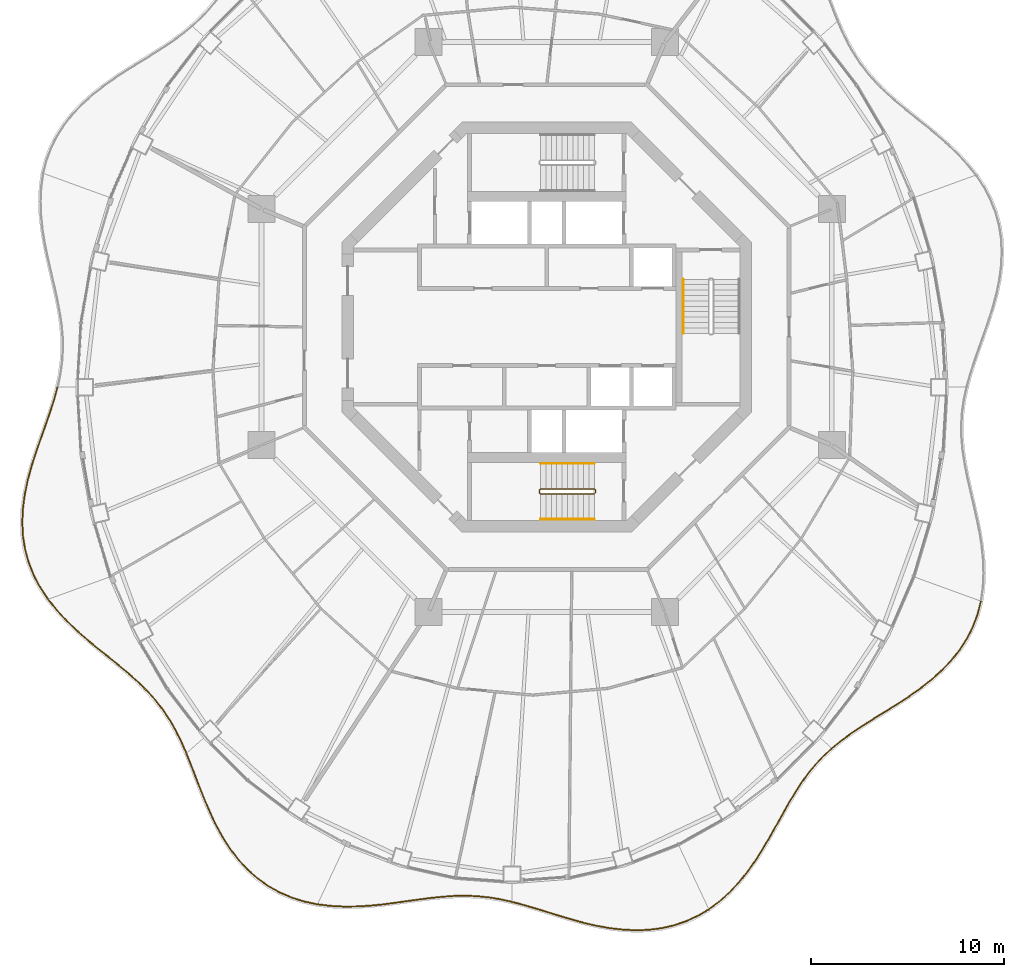
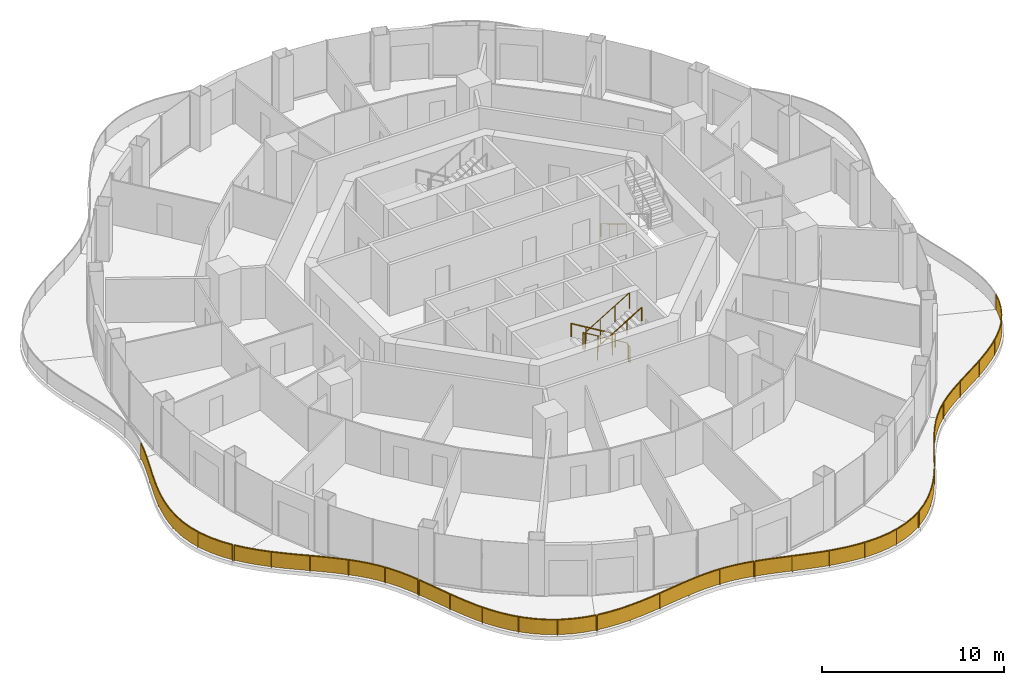
# One storey, part 15 of 17: 11 railings.
"""IFC4 building model written with IfcOpenShell, lengths in metres."""

from ifc_helpers import new_model, si_unit, direction, frame, origin, origin_2d, place, context, subcontext, project, spatial, polyline, rectangle, circle, outline, extrude, material, type_object, element, save


model = new_model("IFC4")

# Units and contexts
model_context = context("Model", 3, precision=1e-05, world=origin(), true_north=direction((0.0, 1.0)))
body_context = subcontext(model_context, "Body", "Model", "MODEL_VIEW")
ifc_project = project(units=[si_unit("LENGTHUNIT", "METRE"), si_unit("AREAUNIT", "SQUARE_METRE"), si_unit("VOLUMEUNIT", "CUBIC_METRE"), si_unit("PLANEANGLEUNIT", "RADIAN"), si_unit("MASSUNIT", "GRAM", prefix="KILO")], contexts=[model_context])

# Site, building, storey
site_placement = place(None, origin())
site = spatial("IfcSite", under=ifc_project, at=site_placement, CompositionType="ELEMENT")
building_placement = place(site_placement, origin())
building = spatial("IfcBuilding", under=site, at=building_placement, Name="Nagisa Residences", CompositionType="ELEMENT")
storey_placement = place(building_placement, frame((0.0, 0.0, 262.199951171875)))
storey = spatial("IfcBuildingStorey", under=building, at=storey_placement, Name="L66", CompositionType="ELEMENT", Elevation=262.199951171875)

# Railings
ifc_material_1 = material(Name="Stainless steel 316", Category="steel")
railing_type_1 = type_object("IfcRailingType", Name="BALCONY GUARD 1100", PredefinedType="BALUSTRADE", material=ifc_material_1)
railing_1_placement = place(storey_placement, frame((-25.375, -3.15185546875, 0.0)))
element("IfcRailing", 1, at=railing_1_placement, inside=storey, type_object=railing_type_1, Name="guard:L66:bal08-0", PredefinedType="BALUSTRADE", context=body_context, shape_type="SweptSolid", body=[
    extrude(outline(polyline([(-0.145263671875, -0.620849609375), (0.024169921875, -0.006591796875), (-0.024169921875, 0.006591796875), (-0.193115234375, -0.606689453125), (-0.40576171875, -1.270751953125), (-0.640869140625, -1.94677734375), (-0.886474609375, -2.63623046875), (-1.12939453125, -3.3388671875), (-1.357421875, -4.040283203125), (-1.55419921875, -4.764892578125), (-1.707763671875, -5.49609375), (-1.806884765625, -6.2294921875), (-1.84228515625, -6.9599609375), (-1.809326171875, -7.6689453125), (-1.697265625, -8.377685546875), (-1.50732421875, -9.068115234375), (-1.24072265625, -9.73486328125), (-0.901123046875, -10.375244140625), (-0.519775390625, -10.946044921875), (-0.478271484375, -10.918212890625), (-0.858154296875, -10.349365234375), (-1.1953125, -9.7138671875), (-1.4599609375, -9.052001953125), (-1.6484375, -8.366943359375), (-1.759521484375, -7.6640625), (-1.7919921875, -6.9599609375), (-1.757080078125, -6.23388671875), (-1.658447265625, -5.50439453125), (-1.50537109375, -4.776611328125), (-1.3095703125, -4.054443359375), (-1.08203125, -3.35498046875), (-0.839111328125, -2.65283203125), (-0.593505859375, -1.96337890625), (-0.3583984375, -1.286376953125), (-0.145263671875, -0.620849609375)])), frame((0.0, 0.0, 1.050048828125)), (0.0, 0.0, 1.0), 0.050048828125),
    extrude(outline(polyline([(-0.16259765625, -0.61572265625), (0.0068359375, -0.001953125), (-0.0068359375, 0.001953125), (-0.17578125, -0.61181640625), (-0.388671875, -1.2763671875), (-0.623779296875, -1.95263671875), (-0.869384765625, -2.642333984375), (-1.1123046875, -3.3447265625), (-1.340087890625, -4.04541015625), (-1.53662109375, -4.76904296875), (-1.68994140625, -5.4990234375), (-1.7890625, -6.23095703125), (-1.82421875, -6.9599609375), (-1.79150390625, -7.667236328125), (-1.6796875, -8.373779296875), (-1.490234375, -9.062255859375), (-1.224365234375, -9.727294921875), (-0.8857421875, -10.365966796875), (-0.5048828125, -10.93603515625), (-0.4931640625, -10.92822265625), (-0.87353515625, -10.358642578125), (-1.211669921875, -9.721435546875), (-1.47705078125, -9.057861328125), (-1.666015625, -8.370849609375), (-1.77734375, -7.665771484375), (-1.81005859375, -6.9599609375), (-1.77490234375, -6.232421875), (-1.67626953125, -5.50146484375), (-1.52294921875, -4.7724609375), (-1.326904296875, -4.04931640625), (-1.09912109375, -3.34912109375), (-0.856201171875, -2.646728515625), (-0.610595703125, -1.95751953125), (-0.37548828125, -1.28076171875), (-0.16259765625, -0.61572265625)])), frame((0.0, 0.0, 0.06005859375)), (0.0, 0.0, 1.0), 0.989990234375),
    extrude(rectangle(XDim=0.0400390625, YDim=0.0400390625, at=origin_2d()), origin(), (0.0, 0.0, 1.0), 1.050048828125),
    extrude(rectangle(XDim=0.0400390625, YDim=0.0400390625, at=origin_2d()), frame((-0.69970703125, -2.1865234375, 0.0)), (0.0, 0.0, 1.0), 1.050048828125),
    extrude(rectangle(XDim=0.0400390625, YDim=0.0400390625, at=origin_2d()), frame((-1.420166015625, -4.366455078125, 0.0)), (0.0, 0.0, 1.0), 1.050048828125),
    extrude(rectangle(XDim=0.0400390625, YDim=0.0400390625, at=origin_2d()), frame((-1.801025390625, -6.625244140625, 0.0)), (0.0, 0.0, 1.0), 1.050048828125),
    extrude(rectangle(XDim=0.0400390625, YDim=0.0400390625, at=origin_2d()), frame((-1.52978515625, -8.892578125, 0.0)), (0.0, 0.0, 1.0), 1.050048828125),
    extrude(rectangle(XDim=0.0400390625, YDim=0.0400390625, at=origin_2d()), frame((-0.4990234375, -10.93212890625, 0.0)), (0.0, 0.0, 1.0), 1.050048828125),
])
railing_2_placement = place(storey_placement, frame((-25.82763671875, -14.14599609375, 0.0)))
element("IfcRailing", 2, at=railing_2_placement, inside=storey, type_object=railing_type_1, Name="guard:L66:bal09-0", PredefinedType="BALUSTRADE", context=body_context, shape_type="SweptSolid", body=[
    extrude(outline(polyline([(0.438720703125, -0.508056640625), (0.01953125, 0.015625), (-0.01953125, -0.015625), (0.400634765625, -0.540771484375), (0.893310546875, -1.074951171875), (1.4189453125, -1.582275390625), (1.966552734375, -2.066162109375), (2.5244140625, -2.530517578125), (3.074462890625, -2.96728515625), (3.619140625, -3.40869140625), (4.14306640625, -3.848388671875), (4.638671875, -4.29296875), (5.10009765625, -4.748779296875), (5.51611328125, -5.20947265625), (5.902587890625, -5.705078125), (6.252197265625, -6.22705078125), (6.56884765625, -6.7783203125), (6.857421875, -7.359375), (7.107177734375, -7.929931640625), (7.153076171875, -7.909912109375), (6.90283203125, -7.33837890625), (6.61279296875, -6.7548828125), (6.294677734375, -6.20068359375), (5.943115234375, -5.67578125), (5.5546875, -5.17724609375), (5.13623046875, -4.714111328125), (4.6728515625, -4.25634765625), (4.17578125, -3.810791015625), (3.65087890625, -3.3701171875), (3.105712890625, -2.92822265625), (2.55615234375, -2.491455078125), (1.999267578125, -2.028076171875), (1.453125, -1.545654296875), (0.928955078125, -1.039794921875), (0.438720703125, -0.508056640625)])), frame((0.0, 0.0, 1.050048828125)), (0.0, 0.0, 1.0), 0.050048828125),
    extrude(outline(polyline([(0.425048828125, -0.519775390625), (0.00537109375, 0.00439453125), (-0.00537109375, -0.00439453125), (0.414306640625, -0.529052734375), (0.906005859375, -1.062255859375), (1.431396484375, -1.569091796875), (1.978271484375, -2.052490234375), (2.535888671875, -2.516357421875), (3.085693359375, -2.953125), (3.630615234375, -3.394775390625), (4.15478515625, -3.8349609375), (4.65087890625, -4.27978515625), (5.113037109375, -4.736328125), (5.530029296875, -5.19775390625), (5.917236328125, -5.694580078125), (6.267578125, -6.217529296875), (6.584716796875, -6.77001953125), (6.873779296875, -7.351806640625), (7.123779296875, -7.922607421875), (7.136474609375, -7.917236328125), (6.886474609375, -7.345947265625), (6.596923828125, -6.76318359375), (6.279296875, -6.210205078125), (5.928466796875, -5.686279296875), (5.540771484375, -5.18896484375), (5.123291015625, -4.7265625), (4.66064453125, -4.26953125), (4.1640625, -3.82421875), (3.639404296875, -3.384033203125), (3.094482421875, -2.9423828125), (2.544677734375, -2.505615234375), (1.987548828125, -2.041748046875), (1.440673828125, -1.558837890625), (0.916259765625, -1.052490234375), (0.425048828125, -0.519775390625)])), frame((0.0, 0.0, 0.06005859375)), (0.0, 0.0, 1.0), 0.989990234375),
    extrude(rectangle(XDim=0.0400390625, YDim=0.0400390625, at=origin_2d()), origin(), (0.0, 0.0, 1.0), 1.050048828125),
    extrude(rectangle(XDim=0.0400390625, YDim=0.0400390625, at=origin_2d()), frame((1.458251953125, -1.583740234375, 0.0)), (0.0, 0.0, 1.0), 1.050048828125),
    extrude(rectangle(XDim=0.0400390625, YDim=0.0400390625, at=origin_2d()), frame((3.1123046875, -2.9658203125, 0.0)), (0.0, 0.0, 1.0), 1.050048828125),
    extrude(rectangle(XDim=0.0400390625, YDim=0.0400390625, at=origin_2d()), frame((4.74951171875, -4.3671875, 0.0)), (0.0, 0.0, 1.0), 1.050048828125),
    extrude(rectangle(XDim=0.0400390625, YDim=0.0400390625, at=origin_2d()), frame((6.13720703125, -6.01025390625, 0.0)), (0.0, 0.0, 1.0), 1.050048828125),
    extrude(rectangle(XDim=0.0400390625, YDim=0.0400390625, at=origin_2d()), frame((7.130126953125, -7.919921875, 0.0)), (0.0, 0.0, 1.0), 1.050048828125),
])
railing_3_placement = place(storey_placement, frame((-18.671142578125, -22.134521484375, 0.0)))
element("IfcRailing", 3, at=railing_3_placement, inside=storey, type_object=railing_type_1, Name="guard:L66:bal10-0", PredefinedType="BALUSTRADE", context=body_context, shape_type="SweptSolid", body=[
    extrude(outline(polyline([(0.24951171875, -0.556884765625), (0.023193359375, 0.00927734375), (-0.023193359375, -0.00927734375), (0.203125, -0.574951171875), (0.44384765625, -1.2001953125), (0.690185546875, -1.839111328125), (0.949462890625, -2.485107421875), (1.230712890625, -3.1298828125), (1.528076171875, -3.754638671875), (1.872314453125, -4.371337890625), (2.255859375, -4.9599609375), (2.682373046875, -5.51220703125), (3.153076171875, -6.01953125), (3.656982421875, -6.46728515625), (4.21240234375, -6.863525390625), (4.809814453125, -7.199462890625), (5.44189453125, -7.47119140625), (6.10400390625, -7.67919921875), (6.742431640625, -7.81298828125), (6.752685546875, -7.76416015625), (6.11669921875, -7.630859375), (5.45947265625, -7.42431640625), (4.831787109375, -7.154541015625), (4.2392578125, -6.821044921875), (3.688232421875, -6.42822265625), (3.188232421875, -5.98388671875), (2.720458984375, -5.47998046875), (2.296875, -4.93115234375), (1.915283203125, -4.345458984375), (1.572509765625, -3.731689453125), (1.276123046875, -3.10888671875), (0.995849609375, -2.465576171875), (0.736572265625, -1.820556640625), (0.49072265625, -1.18212890625), (0.24951171875, -0.556884765625)])), frame((0.0, 0.0, 1.050048828125)), (0.0, 0.0, 1.0), 0.050048828125),
    extrude(outline(polyline([(0.23291015625, -0.5634765625), (0.006591796875, 0.002685546875), (-0.006591796875, -0.002685546875), (0.2197265625, -0.568359375), (0.460693359375, -1.193603515625), (0.706787109375, -1.832275390625), (0.96630859375, -2.47802734375), (1.2470703125, -3.122314453125), (1.544189453125, -3.746337890625), (1.8876953125, -4.362060546875), (2.270751953125, -4.94970703125), (2.696044921875, -5.500732421875), (3.165771484375, -6.0068359375), (3.668212890625, -6.453125), (4.22216796875, -6.84814453125), (4.817626953125, -7.183349609375), (5.4482421875, -7.454345703125), (6.108642578125, -7.661865234375), (6.74609375, -7.79541015625), (6.7490234375, -7.78173828125), (6.112060546875, -7.648193359375), (5.453125, -7.441162109375), (4.823974609375, -7.170654296875), (4.2294921875, -6.83642578125), (3.677001953125, -6.4423828125), (3.175537109375, -5.99658203125), (2.706787109375, -5.491455078125), (2.281982421875, -4.94140625), (1.89990234375, -4.354736328125), (1.556396484375, -3.739990234375), (1.259765625, -3.116455078125), (0.97900390625, -2.47265625), (0.719970703125, -1.827392578125), (0.473876953125, -1.188720703125), (0.23291015625, -0.5634765625)])), frame((0.0, 0.0, 0.06005859375)), (0.0, 0.0, 1.0), 0.989990234375),
    extrude(rectangle(XDim=0.0400390625, YDim=0.0400390625, at=origin_2d()), origin(), (0.0, 0.0, 1.0), 1.050048828125),
    extrude(rectangle(XDim=0.0400390625, YDim=0.0400390625, at=origin_2d()), frame((0.794189453125, -2.03125, 0.0)), (0.0, 0.0, 1.0), 1.050048828125),
    extrude(rectangle(XDim=0.0400390625, YDim=0.0400390625, at=origin_2d()), frame((1.700927734375, -4.01318359375, 0.0)), (0.0, 0.0, 1.0), 1.050048828125),
    extrude(rectangle(XDim=0.0400390625, YDim=0.0400390625, at=origin_2d()), frame((2.96630859375, -5.781494140625, 0.0)), (0.0, 0.0, 1.0), 1.050048828125),
    extrude(rectangle(XDim=0.0400390625, YDim=0.0400390625, at=origin_2d()), frame((4.6875, -7.10205078125, 0.0)), (0.0, 0.0, 1.0), 1.050048828125),
    extrude(rectangle(XDim=0.0400390625, YDim=0.0400390625, at=origin_2d()), frame((6.74755859375, -7.78857421875, 0.0)), (0.0, 0.0, 1.0), 1.050048828125),
])
railing_4_placement = place(storey_placement, frame((-11.84716796875, -29.935302734375, 0.0)))
element("IfcRailing", 4, at=railing_4_placement, inside=storey, type_object=railing_type_1, Name="guard:L66:bal11-0", PredefinedType="BALUSTRADE", context=body_context, shape_type="SweptSolid", body=[
    extrude(outline(polyline([(0.6298828125, -0.052001953125), (0.0029296875, 0.02490234375), (-0.0029296875, -0.02490234375), (0.62548828125, -0.101806640625), (1.310546875, -0.13818359375), (1.9990234375, -0.131591796875), (2.685302734375, -0.0908203125), (3.365478515625, -0.024169921875), (4.01806640625, 0.064208984375), (4.67431640625, 0.155029296875), (5.31591796875, 0.24365234375), (5.9423828125, 0.32177734375), (6.55419921875, 0.381591796875), (7.135986328125, 0.419189453125), (7.724853515625, 0.423828125), (8.306884765625, 0.39599609375), (8.8857421875, 0.333251953125), (9.4658203125, 0.236572265625), (10.007080078125, 0.117431640625), (10.017822265625, 0.166259765625), (9.47509765625, 0.285888671875), (8.892578125, 0.383056640625), (8.310791015625, 0.44580078125), (7.725830078125, 0.47412109375), (7.134033203125, 0.468994140625), (6.55029296875, 0.431396484375), (5.93701171875, 0.37158203125), (5.3095703125, 0.29345703125), (4.66748046875, 0.204833984375), (4.01123046875, 0.114013671875), (3.359619140625, 0.025634765625), (2.681396484375, -0.041015625), (1.9970703125, -0.081787109375), (1.3115234375, -0.087890625), (0.6298828125, -0.052001953125)])), frame((0.0, 0.0, 1.050048828125)), (0.0, 0.0, 1.0), 0.050048828125),
    extrude(outline(polyline([(0.62841796875, -0.06982421875), (0.000732421875, 0.0068359375), (-0.000732421875, -0.0068359375), (0.626953125, -0.083984375), (1.310791015625, -0.1201171875), (1.998291015625, -0.11376953125), (2.683837890625, -0.072998046875), (3.36328125, -0.006103515625), (4.015625, 0.082275390625), (4.671875, 0.173095703125), (5.313720703125, 0.26171875), (5.9404296875, 0.33984375), (6.552734375, 0.3994140625), (7.13525390625, 0.43701171875), (7.72509765625, 0.44189453125), (8.308349609375, 0.413818359375), (8.88818359375, 0.351318359375), (9.46923828125, 0.25439453125), (10.010986328125, 0.135009765625), (10.013916015625, 0.148681640625), (9.4716796875, 0.26806640625), (8.89013671875, 0.364990234375), (8.309326171875, 0.427978515625), (7.7255859375, 0.4560546875), (7.134765625, 0.451171875), (6.5517578125, 0.41357421875), (5.93896484375, 0.353515625), (5.311767578125, 0.275390625), (4.669921875, 0.186767578125), (4.013671875, 0.095947265625), (3.36181640625, 0.007568359375), (2.682861328125, -0.058837890625), (1.997802734375, -0.099609375), (1.311279296875, -0.10595703125), (0.62841796875, -0.06982421875)])), frame((0.0, 0.0, 0.06005859375)), (0.0, 0.0, 1.0), 0.989990234375),
    extrude(rectangle(XDim=0.0400390625, YDim=0.0400390625, at=origin_2d()), origin(), (0.0, 0.0, 1.0), 1.050048828125),
    extrude(rectangle(XDim=0.0400390625, YDim=0.0400390625, at=origin_2d()), frame((2.00927734375, -0.10595703125, 0.0)), (0.0, 0.0, 1.0), 1.050048828125),
    extrude(rectangle(XDim=0.0400390625, YDim=0.0400390625, at=origin_2d()), frame((4.013916015625, 0.089111328125, 0.0)), (0.0, 0.0, 1.0), 1.050048828125),
    extrude(rectangle(XDim=0.0400390625, YDim=0.0400390625, at=origin_2d()), frame((6.01123046875, 0.353759765625, 0.0)), (0.0, 0.0, 1.0), 1.050048828125),
    extrude(rectangle(XDim=0.0400390625, YDim=0.0400390625, at=origin_2d()), frame((8.022216796875, 0.4345703125, 0.0)), (0.0, 0.0, 1.0), 1.050048828125),
    extrude(rectangle(XDim=0.0400390625, YDim=0.0400390625, at=origin_2d()), frame((10.012451171875, 0.141845703125, 0.0)), (0.0, 0.0, 1.0), 1.050048828125),
])
railing_5_placement = place(storey_placement, frame((-1.765625, -29.812255859375, 0.0)))
element("IfcRailing", 5, at=railing_5_placement, inside=storey, type_object=railing_type_1, Name="guard:L66:bal12-0", PredefinedType="BALUSTRADE", context=body_context, shape_type="SweptSolid", body=[
    extrude(outline(polyline([(0.556884765625, -0.121337890625), (0.00634765625, 0.024169921875), (-0.00634765625, -0.024169921875), (0.543701171875, -0.169677734375), (1.14794921875, -0.34619140625), (1.76513671875, -0.53662109375), (2.39697265625, -0.732421875), (3.04345703125, -0.923828125), (3.68603515625, -1.1044921875), (4.35791015625, -1.25830078125), (5.037841796875, -1.379150390625), (5.72265625, -1.458251953125), (6.4072265625, -1.487548828125), (7.069580078125, -1.465576171875), (7.737060546875, -1.37841796875), (8.388427734375, -1.2275390625), (9.01806640625, -1.011962890625), (9.62109375, -0.732666015625), (10.151611328125, -0.416015625), (10.125732421875, -0.373046875), (9.59765625, -0.688232421875), (8.99951171875, -0.965576171875), (8.374755859375, -1.17919921875), (7.728271484375, -1.3291015625), (7.065673828125, -1.415771484375), (6.4072265625, -1.437255859375), (5.7265625, -1.408447265625), (5.045166015625, -1.329833984375), (4.36767578125, -1.20947265625), (3.6982421875, -1.05615234375), (3.05712890625, -0.8759765625), (2.41162109375, -0.6845703125), (1.77978515625, -0.48876953125), (1.162109375, -0.29833984375), (0.556884765625, -0.121337890625)])), frame((0.0, 0.0, 1.050048828125)), (0.0, 0.0, 1.0), 0.050048828125),
    extrude(outline(polyline([(0.55224609375, -0.138671875), (0.001708984375, 0.0068359375), (-0.001708984375, -0.0068359375), (0.54833984375, -0.15234375), (1.153076171875, -0.328857421875), (1.7705078125, -0.519287109375), (2.40234375, -0.715087890625), (3.04833984375, -0.90673828125), (3.6904296875, -1.087158203125), (4.361328125, -1.24072265625), (5.04052734375, -1.361328125), (5.72412109375, -1.4404296875), (6.4072265625, -1.469482421875), (7.068115234375, -1.44775390625), (7.73388671875, -1.360595703125), (8.383544921875, -1.210205078125), (9.011474609375, -0.995361328125), (9.612548828125, -0.716552734375), (10.142333984375, -0.400634765625), (10.135009765625, -0.388427734375), (9.606201171875, -0.704345703125), (9.006103515625, -0.982177734375), (8.379638671875, -1.196533203125), (7.7314453125, -1.346923828125), (7.067138671875, -1.43359375), (6.4072265625, -1.455322265625), (5.72509765625, -1.42626953125), (5.04248046875, -1.34765625), (4.3642578125, -1.22705078125), (3.69384765625, -1.073486328125), (3.05224609375, -0.89306640625), (2.40625, -0.701904296875), (1.7744140625, -0.506103515625), (1.156982421875, -0.315673828125), (0.55224609375, -0.138671875)])), frame((0.0, 0.0, 0.06005859375)), (0.0, 0.0, 1.0), 0.989990234375),
    extrude(rectangle(XDim=0.0400390625, YDim=0.0400390625, at=origin_2d()), origin(), (0.0, 0.0, 1.0), 1.050048828125),
    extrude(rectangle(XDim=0.0400390625, YDim=0.0400390625, at=origin_2d()), frame((2.022216796875, -0.590087890625, 0.0)), (0.0, 0.0, 1.0), 1.050048828125),
    extrude(rectangle(XDim=0.0400390625, YDim=0.0400390625, at=origin_2d()), frame((4.04931640625, -1.162109375, 0.0)), (0.0, 0.0, 1.0), 1.050048828125),
    extrude(rectangle(XDim=0.0400390625, YDim=0.0400390625, at=origin_2d()), frame((6.132568359375, -1.45068359375, 0.0)), (0.0, 0.0, 1.0), 1.050048828125),
    extrude(rectangle(XDim=0.0400390625, YDim=0.0400390625, at=origin_2d()), frame((8.22021484375, -1.24072265625, 0.0)), (0.0, 0.0, 1.0), 1.050048828125),
    extrude(rectangle(XDim=0.0400390625, YDim=0.0400390625, at=origin_2d()), frame((10.138671875, -0.39453125, 0.0)), (0.0, 0.0, 1.0), 1.050048828125),
])
railing_6_placement = place(storey_placement, frame((8.4375, -30.16357421875, 0.0)))
element("IfcRailing", 6, at=railing_6_placement, inside=storey, type_object=railing_type_1, Name="guard:L66:bal13-0", PredefinedType="BALUSTRADE", context=body_context, shape_type="SweptSolid", body=[
    extrude(outline(polyline([(0.502197265625, 0.403564453125), (-0.014892578125, 0.02001953125), (0.014892578125, -0.02001953125), (0.533935546875, 0.364990234375), (1.05517578125, 0.83251953125), (1.5380859375, 1.34619140625), (1.984619140625, 1.897216796875), (2.395751953125, 2.475341796875), (2.765380859375, 3.06298828125), (3.12353515625, 3.666748046875), (3.463623046875, 4.26904296875), (3.79296875, 4.861328125), (4.119140625, 5.4365234375), (4.43701171875, 5.97802734375), (4.77880859375, 6.5029296875), (5.137939453125, 6.99853515625), (5.52099609375, 7.4638671875), (5.931396484375, 7.900390625), (6.342041015625, 8.281982421875), (6.307861328125, 8.318603515625), (5.896240234375, 7.93603515625), (5.4833984375, 7.4970703125), (5.098388671875, 7.029296875), (4.7373046875, 6.53125), (4.39453125, 6.00439453125), (4.07568359375, 5.46142578125), (3.74951171875, 4.8857421875), (3.420166015625, 4.29345703125), (3.080078125, 3.691650390625), (2.722900390625, 3.0888671875), (2.354248046875, 2.503173828125), (1.944580078125, 1.927490234375), (1.50048828125, 1.37890625), (1.02001953125, 0.8681640625), (0.502197265625, 0.403564453125)])), frame((0.0, 0.0, 1.050048828125)), (0.0, 0.0, 1.0), 0.050048828125),
    extrude(outline(polyline([(0.513671875, 0.3896484375), (-0.004150390625, 0.005615234375), (0.004150390625, -0.005615234375), (0.5224609375, 0.37890625), (1.04248046875, 0.84521484375), (1.524658203125, 1.35791015625), (1.97021484375, 1.908203125), (2.380859375, 2.4853515625), (2.75, 3.072265625), (3.10791015625, 3.67578125), (3.447998046875, 4.27783203125), (3.77734375, 4.8701171875), (4.103515625, 5.445556640625), (4.421630859375, 5.987548828125), (4.763916015625, 6.51318359375), (5.123779296875, 7.009521484375), (5.507568359375, 7.475830078125), (5.918701171875, 7.913330078125), (6.329833984375, 8.295166015625), (6.320068359375, 8.305419921875), (5.908935546875, 7.923095703125), (5.496826171875, 7.485107421875), (5.112548828125, 7.018310546875), (4.752197265625, 6.52099609375), (4.409912109375, 5.994873046875), (4.09130859375, 5.452392578125), (3.76513671875, 4.876953125), (3.435791015625, 4.28466796875), (3.095703125, 3.6826171875), (2.73828125, 3.07958984375), (2.369140625, 2.4931640625), (1.958984375, 1.91650390625), (1.513916015625, 1.3671875), (1.03271484375, 0.85546875), (0.513671875, 0.3896484375)])), frame((0.0, 0.0, 0.06005859375)), (0.0, 0.0, 1.0), 0.989990234375),
    extrude(rectangle(XDim=0.0400390625, YDim=0.0400390625, at=origin_2d()), origin(), (0.0, 0.0, 1.0), 1.050048828125),
    extrude(rectangle(XDim=0.0400390625, YDim=0.0400390625, at=origin_2d()), frame((1.55615234375, 1.407958984375, 0.0)), (0.0, 0.0, 1.0), 1.050048828125),
    extrude(rectangle(XDim=0.0400390625, YDim=0.0400390625, at=origin_2d()), frame((2.77197265625, 3.122802734375, 0.0)), (0.0, 0.0, 1.0), 1.050048828125),
    extrude(rectangle(XDim=0.0400390625, YDim=0.0400390625, at=origin_2d()), frame((3.81494140625, 4.950439453125, 0.0)), (0.0, 0.0, 1.0), 1.050048828125),
    extrude(rectangle(XDim=0.0400390625, YDim=0.0400390625, at=origin_2d()), frame((4.919677734375, 6.739990234375, 0.0)), (0.0, 0.0, 1.0), 1.050048828125),
    extrude(rectangle(XDim=0.0400390625, YDim=0.0400390625, at=origin_2d()), frame((6.324951171875, 8.30029296875, 0.0)), (0.0, 0.0, 1.0), 1.050048828125),
])
railing_7_placement = place(storey_placement, frame((14.815673828125, -21.818603515625, 0.0)))
element("IfcRailing", 7, at=railing_7_placement, inside=storey, type_object=railing_type_1, Name="guard:L66:bal14-0", PredefinedType="BALUSTRADE", context=body_context, shape_type="SweptSolid", body=[
    extrude(outline(polyline([(0.449462890625, 0.3994140625), (-0.015869140625, 0.019287109375), (0.015869140625, -0.019287109375), (0.480224609375, 0.35986328125), (1.010009765625, 0.746826171875), (1.570068359375, 1.12158203125), (2.155029296875, 1.491943359375), (2.7578125, 1.864990234375), (3.361083984375, 2.236083984375), (3.971435546875, 2.63720703125), (4.569580078125, 3.06201171875), (5.14453125, 3.515625), (5.6845703125, 4.001220703125), (6.173583984375, 4.5087890625), (6.615478515625, 5.065185546875), (6.995849609375, 5.656005859375), (7.30908203125, 6.279541015625), (7.552001953125, 6.93212890625), (7.71142578125, 7.564208984375), (7.6630859375, 7.576416015625), (7.504150390625, 6.947265625), (7.26318359375, 6.299560546875), (6.952392578125, 5.680908203125), (6.574951171875, 5.094482421875), (6.135986328125, 4.5419921875), (5.64990234375, 4.037353515625), (5.1123046875, 3.5537109375), (4.539794921875, 3.10205078125), (3.943115234375, 2.6787109375), (3.334228515625, 2.278076171875), (2.7314453125, 1.907470703125), (2.128662109375, 1.534423828125), (1.542724609375, 1.16357421875), (0.981201171875, 0.787841796875), (0.449462890625, 0.3994140625)])), frame((0.0, 0.0, 1.050048828125)), (0.0, 0.0, 1.0), 0.050048828125),
    extrude(outline(polyline([(0.46044921875, 0.38525390625), (-0.00439453125, 0.00537109375), (0.00439453125, -0.00537109375), (0.46923828125, 0.3740234375), (0.99951171875, 0.761474609375), (1.560302734375, 1.13671875), (2.1455078125, 1.50732421875), (2.748291015625, 1.88037109375), (3.351318359375, 2.251220703125), (3.961181640625, 2.652099609375), (4.558837890625, 3.076416015625), (5.1328125, 3.529296875), (5.672119140625, 4.01416015625), (6.16015625, 4.520751953125), (6.600830078125, 5.07568359375), (6.980224609375, 5.6650390625), (7.29248046875, 6.286865234375), (7.53466796875, 6.9375), (7.694091796875, 7.568603515625), (7.680419921875, 7.572021484375), (7.521484375, 6.94189453125), (7.27978515625, 6.292236328125), (6.968017578125, 5.671875), (6.589599609375, 5.083984375), (6.1494140625, 4.530029296875), (5.662353515625, 4.0244140625), (5.1240234375, 3.5400390625), (4.550537109375, 3.087646484375), (3.953369140625, 2.663818359375), (3.343994140625, 2.262939453125), (2.740966796875, 1.89208984375), (2.13818359375, 1.51904296875), (1.552490234375, 1.1484375), (0.99169921875, 0.773193359375), (0.46044921875, 0.38525390625)])), frame((0.0, 0.0, 0.06005859375)), (0.0, 0.0, 1.0), 0.989990234375),
    extrude(rectangle(XDim=0.0400390625, YDim=0.0400390625, at=origin_2d()), origin(), (0.0, 0.0, 1.0), 1.050048828125),
    extrude(rectangle(XDim=0.0400390625, YDim=0.0400390625, at=origin_2d()), frame((1.80126953125, 1.297607421875, 0.0)), (0.0, 0.0, 1.0), 1.050048828125),
    extrude(rectangle(XDim=0.0400390625, YDim=0.0400390625, at=origin_2d()), frame((3.68359375, 2.47802734375, 0.0)), (0.0, 0.0, 1.0), 1.050048828125),
    extrude(rectangle(XDim=0.0400390625, YDim=0.0400390625, at=origin_2d()), frame((5.44873046875, 3.82275390625, 0.0)), (0.0, 0.0, 1.0), 1.050048828125),
    extrude(rectangle(XDim=0.0400390625, YDim=0.0400390625, at=origin_2d()), frame((6.875244140625, 5.514892578125, 0.0)), (0.0, 0.0, 1.0), 1.050048828125),
    extrude(rectangle(XDim=0.0400390625, YDim=0.0400390625, at=origin_2d()), frame((7.687255859375, 7.5703125, 0.0)), (0.0, 0.0, 1.0), 1.050048828125),
])
ifc_material_2 = material(Name="Stainless steel", Category="steel")
railing_type_2 = type_object("IfcRailingType", Name="Stair guard 1100", PredefinedType="GUARDRAIL", material=ifc_material_2)
railing_8_placement = place(storey_placement, frame((2.52490234375, -8.599609375, 0.0)))
element("IfcRailing", 8, at=railing_8_placement, inside=storey, type_object=railing_type_2, Name="L66 ST-S stair guard 1", PredefinedType="GUARDRAIL", context=body_context, shape_type="SweptSolid", body=[
    extrude(circle(Radius=0.02392578125, at=origin_2d()), frame((0.0, 0.0, 1.076171875), z_axis=(0.0, 1.0, 0.0), x_axis=(-1.0, 0.0, 0.0)), (0.0, 0.0, 1.0), 0.14990234375),
    extrude(circle(Radius=0.02392578125, at=origin_2d()), frame((0.0, 0.14990234375, 1.076171875), z_axis=(-0.273006030465, 0.27434429532, 0.922064485248), x_axis=(-0.708833529934, -0.705375805398, 0.0)), (0.0, 0.0, 1.0), 0.182373046875),
    extrude(circle(Radius=0.02392578125, at=origin_2d()), frame((-0.0498046875, 0.199951171875, 1.244140625), z_axis=(-0.857242210791, 0.0, 0.514913383045), x_axis=(0.0, -1.0, 0.0)), (0.0, 0.0, 1.0), 3.266357421875),
    extrude(circle(Radius=0.02392578125, at=origin_2d()), frame((-2.849853515625, 0.199951171875, 2.92626953125), z_axis=(-0.707106781187, -0.707106781187, 0.0), x_axis=(0.707106781187, -0.707106781187, 0.0)), (0.0, 0.0, 1.0), 0.07080078125),
    extrude(circle(Radius=0.02392578125, at=origin_2d()), frame((-2.89990234375, 0.14990234375, 2.92626953125), z_axis=(0.0, -1.0, 0.0), x_axis=(1.0, 0.0, 0.0)), (0.0, 0.0, 1.0), 0.14990234375),
    extrude(circle(Radius=0.02392578125, at=origin_2d()), frame((-2.89990234375, 0.0, 2.92626953125), z_axis=(0.274243871929, -0.274243871929, 0.92172696468), x_axis=(0.707106781187, 0.707106781187, 0.0)), (0.0, 0.0, 1.0), 0.1826171875),
    extrude(circle(Radius=0.02392578125, at=origin_2d()), frame((-2.849853515625, -0.050048828125, 3.09423828125), z_axis=(0.857275202839, 0.0, 0.514858452973), x_axis=(0.0, 1.0, 0.0)), (0.0, 0.0, 1.0), 3.26611328125),
    extrude(circle(Radius=0.02099609375, at=origin_2d()), origin(), (0.0, 0.0, 1.0), 1.052001953125),
    extrude(circle(Radius=0.02099609375, at=origin_2d()), frame((0.0, 0.14990234375, 0.0)), (0.0, 0.0, 1.0), 1.052001953125),
    extrude(circle(Radius=0.02099609375, at=origin_2d()), frame((-0.0498046875, 0.199951171875, 0.168212890625)), (0.0, 0.0, 1.0), 1.052001953125),
    extrude(circle(Radius=0.02099609375, at=origin_2d()), frame((-0.983154296875, 0.199951171875, 0.728759765625)), (0.0, 0.0, 1.0), 1.052001953125),
    extrude(circle(Radius=0.02099609375, at=origin_2d()), frame((-1.91650390625, 0.199951171875, 1.28955078125)), (0.0, 0.0, 1.0), 1.052001953125),
    extrude(circle(Radius=0.02099609375, at=origin_2d()), frame((-2.849853515625, 0.199951171875, 1.85009765625)), (0.0, 0.0, 1.0), 1.052001953125),
    extrude(circle(Radius=0.02099609375, at=origin_2d()), frame((-2.89990234375, 0.14990234375, 1.85009765625)), (0.0, 0.0, 1.0), 1.052001953125),
    extrude(circle(Radius=0.02099609375, at=origin_2d()), frame((-2.89990234375, 0.0, 1.85009765625)), (0.0, 0.0, 1.0), 1.052001953125),
    extrude(circle(Radius=0.02099609375, at=origin_2d()), frame((-2.849853515625, -0.050048828125, 2.018310546875)), (0.0, 0.0, 1.0), 1.052001953125),
    extrude(circle(Radius=0.02099609375, at=origin_2d()), frame((-1.91650390625, -0.050048828125, 2.578857421875)), (0.0, 0.0, 1.0), 1.052001953125),
    extrude(circle(Radius=0.02099609375, at=origin_2d()), frame((-0.983154296875, -0.050048828125, 3.139404296875)), (0.0, 0.0, 1.0), 1.052001953125),
    extrude(circle(Radius=0.02099609375, at=origin_2d()), frame((-0.0498046875, -0.050048828125, 3.699951171875)), (0.0, 0.0, 1.0), 1.052001953125),
])
ifc_material_3 = material(Name="Stainless steel", Category="steel")
railing_type_3 = type_object("IfcRailingType", Name="Stair handrail 900", PredefinedType="HANDRAIL", material=ifc_material_3)
railing_9_placement = place(storey_placement, frame((7.07470703125, 2.47509765625, 0.168212890625)))
element("IfcRailing", 9, at=railing_9_placement, inside=storey, type_object=railing_type_3, Name="L66 ST-E stair handrail 1", PredefinedType="HANDRAIL", context=body_context, shape_type="SweptSolid", body=[
    extrude(circle(Radius=0.02392578125, at=origin_2d()), frame((0.0, 0.0, 0.8759765625), z_axis=(0.0, -0.857242210791, 0.514913383045), x_axis=(1.0, 0.0, 0.0)), (0.0, 0.0, 1.0), 3.266357421875),
    extrude(circle(Radius=0.02099609375, at=origin_2d()), origin(), (0.0, 0.0, 1.0), 0.851806640625),
    extrude(circle(Radius=0.02099609375, at=origin_2d()), frame((0.0, -0.933349609375, 0.560546875)), (0.0, 0.0, 1.0), 0.851806640625),
    extrude(circle(Radius=0.02099609375, at=origin_2d()), frame((0.0, -1.86669921875, 1.121337890625)), (0.0, 0.0, 1.0), 0.851806640625),
    extrude(circle(Radius=0.02099609375, at=origin_2d()), frame((0.0, -2.800048828125, 1.681884765625)), (0.0, 0.0, 1.0), 0.851806640625),
])
railing_10_placement = place(storey_placement, frame((2.47509765625, -7.07470703125, 0.168212890625)))
element("IfcRailing", 10, at=railing_10_placement, inside=storey, type_object=railing_type_3, Name="L66 ST-S stair handrail 1", PredefinedType="HANDRAIL", context=body_context, shape_type="SweptSolid", body=[
    extrude(circle(Radius=0.02392578125, at=origin_2d()), frame((0.0, 0.0, 0.8759765625), z_axis=(-0.857242210791, 0.0, 0.514913383045), x_axis=(0.0, -1.0, 0.0)), (0.0, 0.0, 1.0), 3.266357421875),
    extrude(circle(Radius=0.02099609375, at=origin_2d()), origin(), (0.0, 0.0, 1.0), 0.851806640625),
    extrude(circle(Radius=0.02099609375, at=origin_2d()), frame((-0.933349609375, 0.0, 0.560546875)), (0.0, 0.0, 1.0), 0.851806640625),
    extrude(circle(Radius=0.02099609375, at=origin_2d()), frame((-1.86669921875, 0.0, 1.121337890625)), (0.0, 0.0, 1.0), 0.851806640625),
    extrude(circle(Radius=0.02099609375, at=origin_2d()), frame((-2.800048828125, 0.0, 1.681884765625)), (0.0, 0.0, 1.0), 0.851806640625),
])
railing_11_placement = place(storey_placement, frame((-0.324951171875, -9.974609375, 2.018310546875)))
element("IfcRailing", 11, at=railing_11_placement, inside=storey, type_object=railing_type_3, Name="L66 ST-S stair handrail 2", PredefinedType="HANDRAIL", context=body_context, shape_type="SweptSolid", body=[
    extrude(circle(Radius=0.02392578125, at=origin_2d()), frame((0.0, 0.0, 0.8759765625), z_axis=(0.857275202839, 0.0, 0.514858452973), x_axis=(0.0, 1.0, 0.0)), (0.0, 0.0, 1.0), 3.26611328125),
    extrude(circle(Radius=0.02099609375, at=origin_2d()), origin(), (0.0, 0.0, 1.0), 0.851806640625),
    extrude(circle(Radius=0.02099609375, at=origin_2d()), frame((0.933349609375, 0.0, 0.560546875)), (0.0, 0.0, 1.0), 0.851806640625),
    extrude(circle(Radius=0.02099609375, at=origin_2d()), frame((1.86669921875, 0.0, 1.12109375)), (0.0, 0.0, 1.0), 0.851806640625),
    extrude(circle(Radius=0.02099609375, at=origin_2d()), frame((2.800048828125, 0.0, 1.681640625)), (0.0, 0.0, 1.0), 0.851806640625),
])

save(model, "model.ifc")
